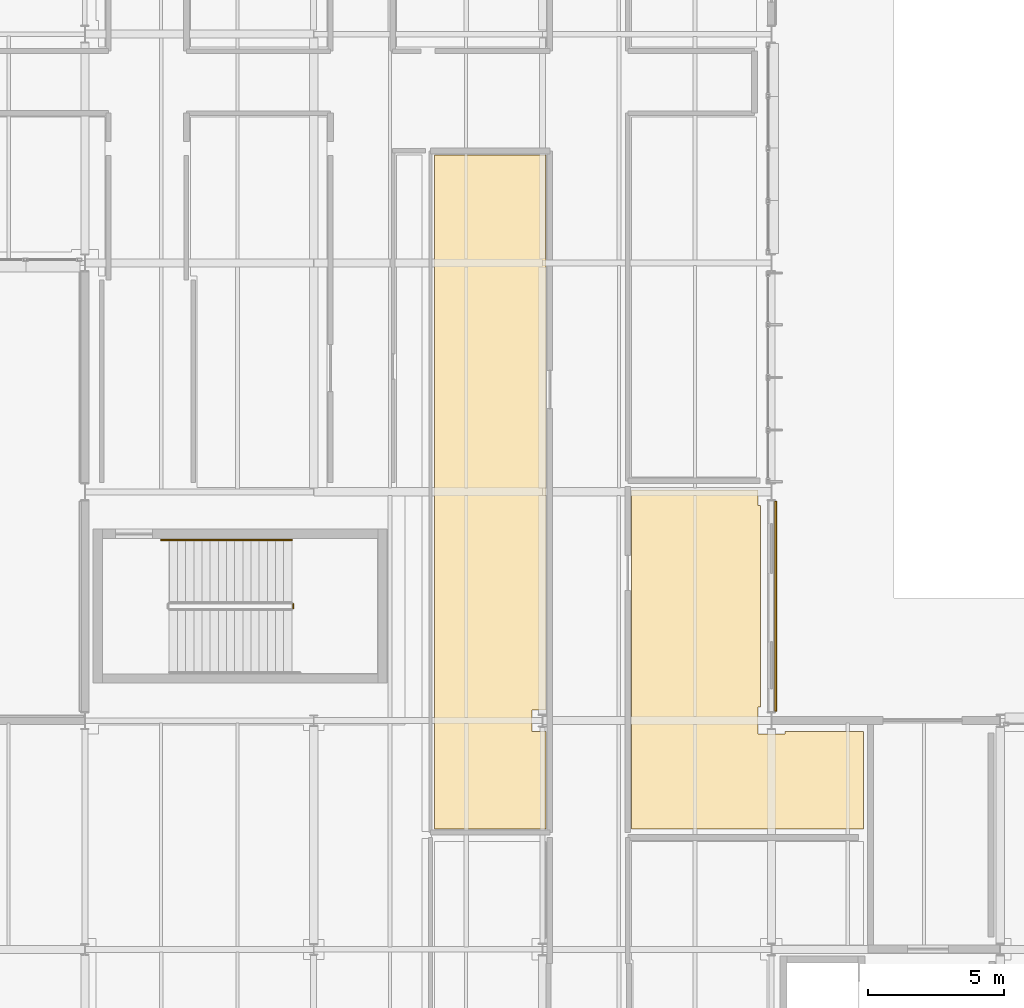
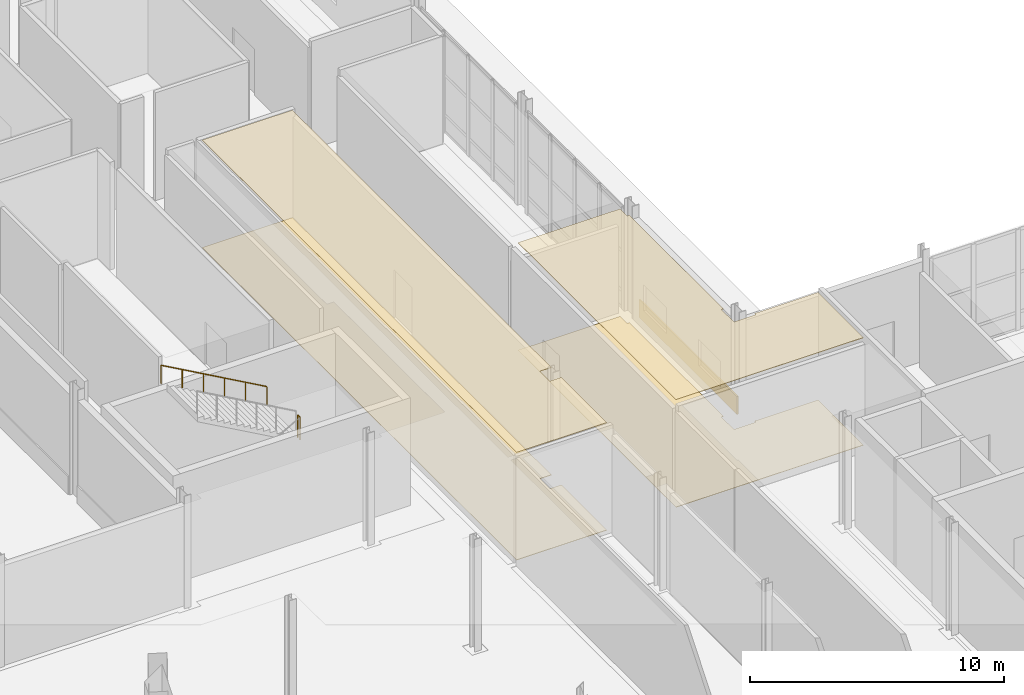
# One storey, part 105 of 124: 5 coverings, 2 railings.
"""IFC4 building model written with IfcOpenShell, lengths in metres."""

from ifc_helpers import new_model, si_unit, direction, frame, origin, origin_2d, place, context, subcontext, project, spatial, polyline, rectangle, circle, outline, extrude, material, layer, layer_set, type_object, element, save


model = new_model("IFC4")

# Units and contexts
model_context = context("Model", 3, precision=1e-05, world=origin(), true_north=direction((0.0, 1.0)))
body_context = subcontext(model_context, "Body", "Model", "MODEL_VIEW")
ifc_project = project(units=[si_unit("LENGTHUNIT", "METRE"), si_unit("AREAUNIT", "SQUARE_METRE"), si_unit("VOLUMEUNIT", "CUBIC_METRE"), si_unit("PLANEANGLEUNIT", "RADIAN"), si_unit("MASSUNIT", "GRAM", prefix="KILO")], contexts=[model_context])

# Site, building, storey
site_placement = place(None, origin())
site = spatial("IfcSite", under=ifc_project, at=site_placement, CompositionType="ELEMENT")
building_placement = place(site_placement, origin())
building = spatial("IfcBuilding", under=site, at=building_placement, Name="Mersafa Astral City Hall", CompositionType="ELEMENT")
storey_placement = place(building_placement, origin())
storey = spatial("IfcBuildingStorey", under=building, at=storey_placement, Name="L00", CompositionType="ELEMENT", Elevation=0.0)

# Covering
ifc_material_1 = material(Name="Cairo Mokattam buff limestone cladding", Category="masonry")
ifc_layer_1 = layer(ifc_material_1, 0.06005859375, Name="Cairo Mokattam buff limestone cladding")
ifc_layer_set_1 = layer_set([ifc_layer_1], Name="Cairo Mokattam buff limestone cladding — ENV-COV-LIMESTONE-60")
covering_type_1 = type_object("IfcCoveringType", Name="ENV-COV-LIMESTONE-60", PredefinedType="CLADDING", material=ifc_layer_set_1)
covering_1_placement = place(storey_placement, frame((117.761962890625, 37.800048828125, 0.0), z_axis=(0.0, 0.0, 1.0), x_axis=(0.0, 1.0, 0.0)))
element("IfcCovering", 1, at=covering_1_placement, inside=storey, type_object=covering_type_1, Name="L00 Cairo buff limestone rainscreen cladding 16", PredefinedType="CLADDING", context=body_context, shape_type="SweptSolid", body=[
    extrude(rectangle(XDim=7.697998046875, YDim=0.06005859375, at=origin_2d()), origin(), (0.0, 0.0, 1.0), 0.860107421875),
])

# Railings
ifc_material_2 = material(Name="Painted architectural steel stair guard balustrade", Category="steel")
railing_type_1 = type_object("IfcRailingType", Name="GUARD-RAIL", PredefinedType="BALUSTRADE", material=ifc_material_2)
railing_1_placement = place(storey_placement, frame((100.050048828125, 37.719970703125, 2.699951171875)))
element("IfcRailing", 2, at=railing_1_placement, inside=storey, type_object=railing_type_1, Name="L00 ST8 stair guard 2", PredefinedType="BALUSTRADE", context=body_context, shape_type="SweptSolid", body=[
    extrude(circle(Radius=0.02392578125, at=origin_2d()), frame((0.0, 0.0, 1.09619140625), z_axis=(0.0, 1.0, 0.0), x_axis=(-1.0, 0.0, 0.0)), (0.0, 0.0, 1.0), 0.159912109375),
    extrude(circle(Radius=0.02099609375, at=origin_2d()), origin(), (0.0, 0.0, 1.0), 1.072021484375),
    extrude(circle(Radius=0.02099609375, at=origin_2d()), frame((0.0, 0.159912109375, 0.0)), (0.0, 0.0, 1.0), 1.072021484375),
])
ifc_material_3 = material(Name="Brushed stainless steel tubular handrail", Category="steel")
railing_type_2 = type_object("IfcRailingType", Name="HANDRAIL", PredefinedType="HANDRAIL", material=ifc_material_3)
railing_2_placement = place(storey_placement, frame((100.0, 40.22998046875, 2.86865234375)))
element("IfcRailing", 3, at=railing_2_placement, inside=storey, type_object=railing_type_2, Name="L00 ST8 stair handrail 2", PredefinedType="HANDRAIL", context=body_context, shape_type="SweptSolid", body=[
    extrude(circle(Radius=0.02392578125, at=origin_2d()), frame((0.0, 0.0, 0.8759765625), z_axis=(-0.871335168691, 0.0, 0.49068831635), x_axis=(0.0, -1.0, 0.0)), (0.0, 0.0, 1.0), 5.5087890625),
    extrude(circle(Radius=0.02099609375, at=origin_2d()), origin(), (0.0, 0.0, 1.0), 0.851806640625),
    extrude(circle(Radius=0.02099609375, at=origin_2d()), frame((-0.9599609375, 0.0, 0.54052734375)), (0.0, 0.0, 1.0), 0.851806640625),
    extrude(circle(Radius=0.02099609375, at=origin_2d()), frame((-1.919921875, 0.0, 1.081298828125)), (0.0, 0.0, 1.0), 0.851806640625),
    extrude(circle(Radius=0.02099609375, at=origin_2d()), frame((-2.880126953125, 0.0, 1.621826171875)), (0.0, 0.0, 1.0), 0.851806640625),
    extrude(circle(Radius=0.02099609375, at=origin_2d()), frame((-3.840087890625, 0.0, 2.16259765625)), (0.0, 0.0, 1.0), 0.851806640625),
    extrude(circle(Radius=0.02099609375, at=origin_2d()), frame((-4.800048828125, 0.0, 2.703125)), (0.0, 0.0, 1.0), 0.851806640625),
])

# Coverings
ifc_material_4 = material(Name="Perforated acoustic gypsum board ceiling", Category="gypsum")
ifc_layer_2 = layer(ifc_material_4, 0.02490234375, Name="Perforated acoustic gypsum board ceiling")
ifc_layer_set_2 = layer_set([ifc_layer_2], Name="Perforated acoustic gypsum board ceiling — INT-COV-CEIL-25")
covering_type_2 = type_object("IfcCoveringType", Name="INT-COV-CEIL-25", PredefinedType="CEILING", material=ifc_layer_set_2)
covering_2_placement = place(storey_placement, frame((0.0, 0.0, 5.156005859375)))
element("IfcCovering", 4, at=covering_2_placement, inside=storey, type_object=covering_type_2, Name="L00 Public Information & Wayfinding Salon L00-08 acoustic ceiling", PredefinedType="CEILING", context=body_context, shape_type="SweptSolid", body=[
    extrude(outline(polyline([(105.22998046875, 54.3701171875), (109.330078125, 54.3701171875), (109.330078125, 33.9951171875), (108.804931640625, 33.9951171875), (108.804931640625, 33.205078125), (109.330078125, 33.205078125), (109.330078125, 29.6298828125), (105.22998046875, 29.6298828125), (105.22998046875, 54.3701171875)])), origin(), (0.0, 0.0, 1.0), 0.02490234375),
])
covering_3_placement = place(storey_placement, frame((0.0, 0.0, 5.156005859375)))
element("IfcCovering", 5, at=covering_3_placement, inside=storey, type_object=covering_type_2, Name="L00 Public Cafe L00-16 acoustic ceiling", PredefinedType="CEILING", context=body_context, shape_type="SweptSolid", body=[
    extrude(outline(polyline([(117.10498046875, 42.06005859375), (117.10498046875, 41.5048828125), (117.199951171875, 41.5048828125), (117.199951171875, 34.094970703125), (117.10498046875, 34.094970703125), (117.10498046875, 33.10498046875), (118.094970703125, 33.10498046875), (118.094970703125, 33.199951171875), (120.97998046875, 33.199951171875), (120.97998046875, 29.6298828125), (112.469970703125, 29.6298828125), (112.469970703125, 42.06005859375), (117.10498046875, 42.06005859375)])), origin(), (0.0, 0.0, 1.0), 0.02490234375),
])
ifc_material_5 = material(Name="Honed Cairo limestone terrazzo flooring", Category="masonry")
ifc_layer_3 = layer(ifc_material_5, 0.02001953125, Name="Honed Cairo limestone terrazzo flooring")
ifc_layer_set_3 = layer_set([ifc_layer_3], Name="Honed Cairo limestone terrazzo flooring — INT-COV-FLR-20")
covering_type_3 = type_object("IfcCoveringType", Name="INT-COV-FLR-20", PredefinedType="FLOORING", material=ifc_layer_set_3)
covering_4_placement = place(storey_placement, frame((0.0, 0.0, -0.00146484375)))
element("IfcCovering", 6, at=covering_4_placement, inside=storey, type_object=covering_type_3, Name="L00 Public Information & Wayfinding Salon L00-08 architectural flooring", PredefinedType="FLOORING", context=body_context, shape_type="SweptSolid", body=[
    extrude(outline(polyline([(105.22998046875, 54.3701171875), (109.330078125, 54.3701171875), (109.330078125, 33.9951171875), (108.804931640625, 33.9951171875), (108.804931640625, 33.205078125), (109.330078125, 33.205078125), (109.330078125, 29.6298828125), (105.22998046875, 29.6298828125), (105.22998046875, 54.3701171875)])), origin(), (0.0, 0.0, 1.0), 0.02001953125),
])
covering_5_placement = place(storey_placement, frame((0.0, 0.0, -0.00146484375)))
element("IfcCovering", 7, at=covering_5_placement, inside=storey, type_object=covering_type_3, Name="L00 Public Cafe L00-16 architectural flooring", PredefinedType="FLOORING", context=body_context, shape_type="SweptSolid", body=[
    extrude(outline(polyline([(117.10498046875, 42.06005859375), (117.10498046875, 41.5048828125), (117.199951171875, 41.5048828125), (117.199951171875, 34.094970703125), (117.10498046875, 34.094970703125), (117.10498046875, 33.10498046875), (118.094970703125, 33.10498046875), (118.094970703125, 33.199951171875), (120.97998046875, 33.199951171875), (120.97998046875, 29.6298828125), (112.469970703125, 29.6298828125), (112.469970703125, 42.06005859375), (117.10498046875, 42.06005859375)])), origin(), (0.0, 0.0, 1.0), 0.02001953125),
])

save(model, "model.ifc")
